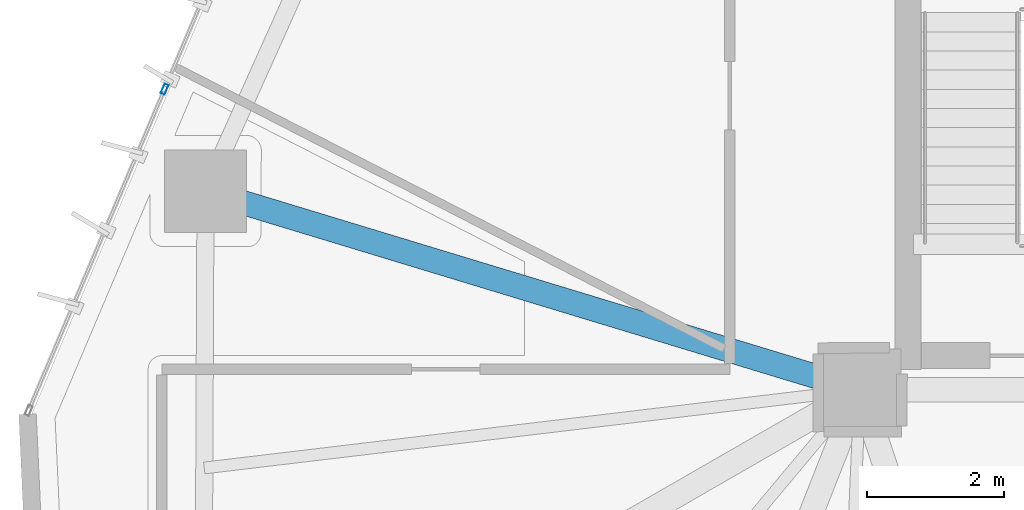
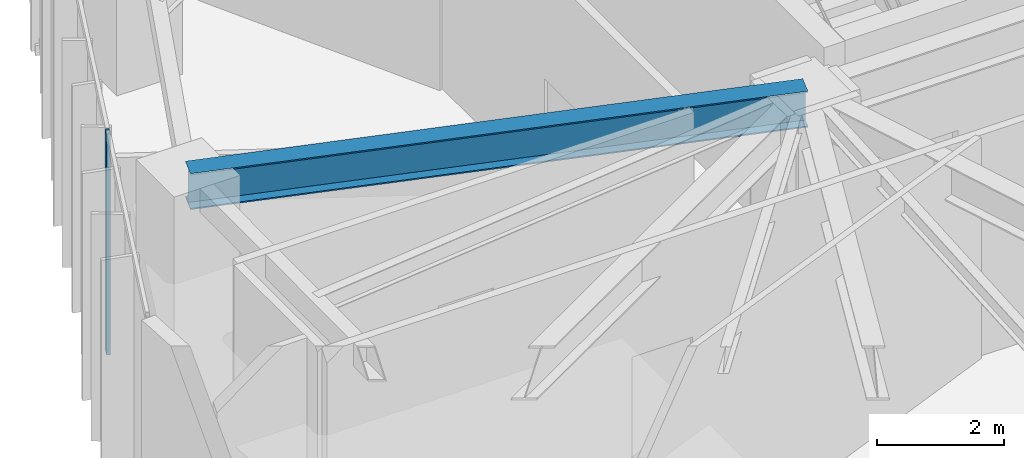
# One storey, part 11 of 28: 1 beam, 1 member, 1 element without a shape of its own.
"""IFC4 building model written with IfcOpenShell, lengths in metres."""

from ifc_helpers import new_model, si_unit, direction, frame, origin, origin_2d, place, context, subcontext, project, spatial, hollow_rectangle, i_section, extrude, source, transform, mapped, material, layer, layer_set, material_profile, profile_set, type_object, type_shapes, element, aggregate, save


model = new_model("IFC4")

# Units and contexts
model_context = context("Model", 3, precision=1e-05, world=origin(), true_north=direction((0.0, 1.0)))
body_context = subcontext(model_context, "Body", "Model", "MODEL_VIEW")
ifc_project = project(units=[si_unit("LENGTHUNIT", "METRE"), si_unit("AREAUNIT", "SQUARE_METRE"), si_unit("VOLUMEUNIT", "CUBIC_METRE"), si_unit("PLANEANGLEUNIT", "RADIAN"), si_unit("MASSUNIT", "GRAM", prefix="KILO")], contexts=[model_context])

# Site, building, storey
site_placement = place(None, origin())
site = spatial("IfcSite", under=ifc_project, at=site_placement, CompositionType="ELEMENT")
building_placement = place(site_placement, origin())
building = spatial("IfcBuilding", under=site, at=building_placement, Name="Talar Marvaseh", CompositionType="ELEMENT")
storey_placement = place(building_placement, frame((0.0, 0.0, 157.800048828125)))
storey = spatial("IfcBuildingStorey", under=building, at=storey_placement, Name="L41", CompositionType="ELEMENT", Elevation=157.800048828125)

# Beam
ifc_material_1 = material(Name="Steel S355", Category="steel")
ifc_material_profile_1 = material_profile(ifc_material_1, i_section(OverallWidth=0.35498046875, OverallDepth=0.695068359375, WebThickness=0.015380859375, FlangeThickness=0.02490234375, at=origin_2d()), Name="W690x217")
ifc_profile_set_1 = profile_set([ifc_material_profile_1], Name="Steel S355")
beam_type = type_object("IfcBeamType", Name="Zone 2 Radial Floor Girder W690x217", PredefinedType="BEAM", material=ifc_profile_set_1)
beam_placement = place(storey_placement, frame((9.137939453125, 28.402099609375, 3.90234375), z_axis=(0.956898764921, -0.290421682546, 0.0), x_axis=(0.290421682546, 0.956898764921, 0.0)))
element("IfcBeam", 1, at=beam_placement, inside=storey, type_object=beam_type, Name="L41 Zone 2 Radial Floor Girder W690x217", PredefinedType="BEAM", context=body_context, shape_type="SweptSolid", body=[
    extrude(i_section(OverallWidth=0.35498046875, OverallDepth=0.695068359375, WebThickness=0.015380859375, FlangeThickness=0.02490234375, at=origin_2d()), origin(), (0.0, 0.0, 1.0), 9.99267578125),
])

# Curtain wall, member
ifc_material_2 = material(Name="Architectural Aluminium", Category="aluminium")
ifc_layer = layer(ifc_material_2, 0.239990234375)
ifc_layer_set = layer_set([ifc_layer], Name="Architectural Aluminium")
curtain_wall_type = type_object("IfcCurtainWallType", Name="Observation Sky Gallery Structural Glass Wall", PredefinedType="NOTDEFINED", material=ifc_layer_set)
curtain_wall_placement = place(storey_placement, origin())
curtain_wall = element("IfcCurtainWall", 2, at=curtain_wall_placement, inside=storey, type_object=curtain_wall_type, Name="L41 Observation Sky Gallery Structural Glass Wall", PredefinedType="NOTDEFINED")
ifc_material_profile_2 = material_profile(ifc_material_2, hollow_rectangle(XDim=0.06494140625, YDim=0.14990234375, WallThickness=0.00390625, at=origin_2d()), Name="RHS150x65x4")
ifc_profile_set_2 = profile_set([ifc_material_profile_2], Name="Architectural Aluminium")
member_type = type_object("IfcMemberType", Name="Unitised Curtain Wall Slim Mullion RHS150x65x4", PredefinedType="MULLION", material=ifc_profile_set_2)
shared_shape = source(origin(), body_context, "Body", "SweptSolid", [
    extrude(hollow_rectangle(XDim=0.06494140625, YDim=0.14990234375, WallThickness=0.00390625, at=origin_2d()), origin(), (0.0, 0.0, 1.0), 4.25),
])
type_shapes(member_type, [shared_shape])
member_placement = place(storey_placement, frame((8.540283203125, 29.893310546875, 0.0), z_axis=(0.0, 0.0, 1.0), x_axis=(-0.920967430429, 0.389639566894, 0.0)))
member = element("IfcMember", 3, at=member_placement, type_object=member_type, Name="CW-OBS mullion 2", PredefinedType="MULLION", context=body_context, shape_type="MappedRepresentation", body=[
    mapped(shared_shape, transform((0.0, 0.0, 0.0), x_axis=(1.0, 0.0, 0.0), y_axis=(0.0, 1.0, 0.0), z_axis=(0.0, 0.0, 1.0), scale=1.0)),
])
aggregate(curtain_wall, [member])

save(model, "model.ifc")
